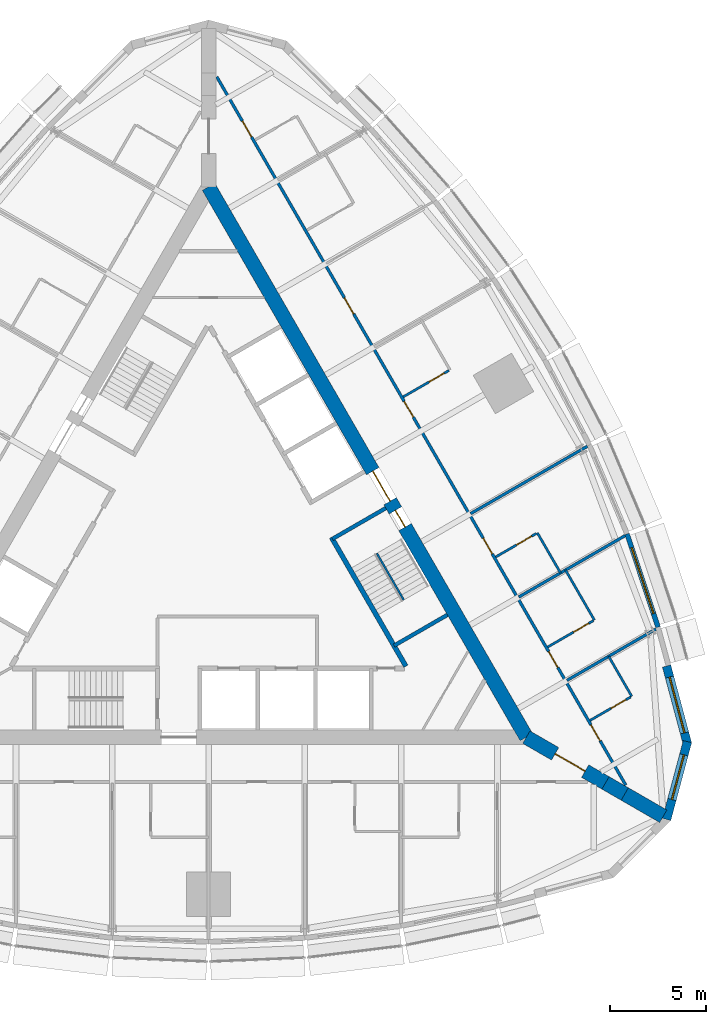
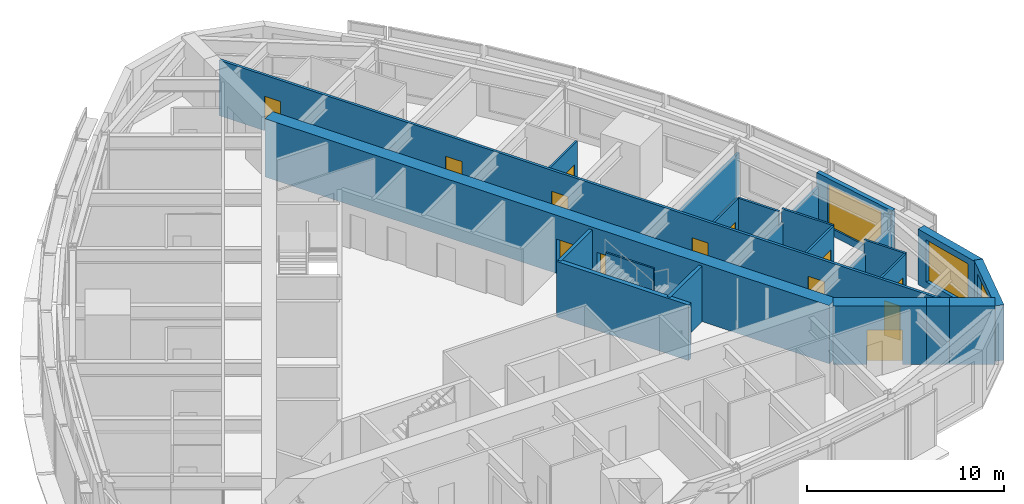
# One storey, part 12 of 15: 22 walls, 13 doors, 3 windows, 16 openings.
"""IFC4 building model written with IfcOpenShell, lengths in metres."""

from ifc_helpers import new_model, si_unit, direction, frame, frame_2d, origin, place, context, subcontext, project, spatial, polyline, rectangle, outline, extrude, material, layer, layer_set, type_object, element, fill, save


model = new_model("IFC4")

# Units and contexts
model_context = context("Model", 3, precision=1e-05, world=origin(), true_north=direction((0.0, 1.0)))
body_context = subcontext(model_context, "Body", "Model", "MODEL_VIEW")
ifc_project = project(units=[si_unit("LENGTHUNIT", "METRE"), si_unit("AREAUNIT", "SQUARE_METRE"), si_unit("VOLUMEUNIT", "CUBIC_METRE"), si_unit("PLANEANGLEUNIT", "RADIAN"), si_unit("MASSUNIT", "GRAM", prefix="KILO")], contexts=[model_context])

# Site, building, storey
site_placement = place(None, origin())
site = spatial("IfcSite", under=ifc_project, at=site_placement, CompositionType="ELEMENT")
building_placement = place(site_placement, origin())
building = spatial("IfcBuilding", under=site, at=building_placement, Name="Trikona Tower", CompositionType="ELEMENT")
storey_placement = place(building_placement, frame((0.0, 0.0, 215.300048828125)))
storey = spatial("IfcBuildingStorey", under=building, at=storey_placement, Name="L57", CompositionType="ELEMENT", Elevation=215.300048828125)

# Wall
ifc_material_1 = material(Name="Metal stud and cement board", Category="gypsum")
ifc_layer_1 = layer(ifc_material_1, 0.1201171875)
ifc_layer_set_1 = layer_set([ifc_layer_1], Name="Bathroom wall 120")
wall_type_1 = type_object("IfcWallType", Name="Bathroom wall 120", PredefinedType="PLUMBINGWALL", material=ifc_layer_set_1)
wall_1_placement = place(storey_placement, frame((21.972900390625, -7.40576171875, 0.0), z_axis=(0.0, 0.0, 1.0), x_axis=(-0.499957262057, 0.866050077142, 0.0)))
element("IfcWall", 1, at=wall_1_placement, inside=storey, type_object=wall_type_1, Name="Bathroom wall 5705", PredefinedType="PLUMBINGWALL", context=body_context, shape_type="SweptSolid", body=[
    extrude(rectangle(XDim=2.400146484375, YDim=0.1201171875, at=frame_2d((1.2001953125, 0.0))), origin(), (0.0, 0.0, 1.0), 3.43505859375),
])

# Wall, opening, door
wall_2_placement = place(storey_placement, frame((19.807861328125, -8.65576171875, 0.0), z_axis=(0.0, 0.0, 1.0), x_axis=(0.866023955769, 0.500002508028, 0.0)))
wall_2 = element("IfcWall", 2, at=wall_2_placement, inside=storey, type_object=wall_type_1, Name="Bathroom wall 5705", PredefinedType="PLUMBINGWALL", context=body_context, shape_type="SweptSolid", body=[
    extrude(rectangle(XDim=2.43994140625, YDim=0.1201171875, at=frame_2d((1.219970703125, 0.0))), origin(), (0.0, 0.0, 1.0), 3.43505859375),
])
opening_1_placement = place(wall_2_placement, frame((1.25, 0.0, 0.0)))
opening_1 = element("IfcOpeningElement", 3, at=opening_1_placement, cuts=wall_2, Name="Opening D2", PredefinedType="OPENING", context=body_context, shape_type="SweptSolid", body=[
    extrude(rectangle(XDim=0.89990234375, YDim=2.1298828125, at=frame_2d((0.449951171875, 1.06494140625))), frame((0.0, 0.070068359375, 0.0), z_axis=(0.0, -1.0, 0.0), x_axis=(1.0, 0.0, 0.0)), (0.0, 0.0, 1.0), 0.14013671875),
])
ifc_material_2 = material(Name="Steel door frame with solid-core timber leaf", Category="steel")
door_type_1 = type_object("IfcDoorType", Name="Bathroom door 900x2130", OperationType="SLIDING_TO_LEFT", PredefinedType="DOOR", material=ifc_material_2)
door_1_placement = place(opening_1_placement, origin())
door_1 = element("IfcDoor", 4, at=door_1_placement, inside=storey, type_object=door_type_1, Name="Bathroom door 5705", OperationType="SLIDING_TO_LEFT", OverallHeight=2.1298828125, OverallWidth=0.89990234375, PredefinedType="DOOR", context=body_context, shape_type="SweptSolid", body=[
    extrude(rectangle(XDim=0.89990234375, YDim=2.1298828125, at=frame_2d((0.449951171875, 1.06494140625))), frame((0.0, 0.02490234375, 0.0), z_axis=(0.0, -1.0, 0.0), x_axis=(1.0, 0.0, 0.0)), (0.0, 0.0, 1.0), 0.050048828125),
])
fill(opening_1, door_1)

# Wall
wall_3_placement = place(storey_placement, frame((20.03271484375, -3.4453125, 0.0), z_axis=(0.0, 0.0, 1.0), x_axis=(-0.499990139034, 0.866031096941, 0.0)))
element("IfcWall", 5, at=wall_3_placement, inside=storey, type_object=wall_type_1, Name="Bathroom wall 5706", PredefinedType="PLUMBINGWALL", context=body_context, shape_type="SweptSolid", body=[
    extrude(rectangle(XDim=3.0, YDim=0.1201171875, at=frame_2d((1.5, 0.0))), origin(), (0.0, 0.0, 1.0), 3.43505859375),
])

# Wall, opening, door
wall_4_placement = place(storey_placement, frame((17.60791015625, -4.84521484375, 0.0), z_axis=(0.0, 0.0, 1.0), x_axis=(0.865997131366, 0.500048966069, 0.0)))
wall_4 = element("IfcWall", 6, at=wall_4_placement, inside=storey, type_object=wall_type_1, Name="Bathroom wall 5706", PredefinedType="PLUMBINGWALL", context=body_context, shape_type="SweptSolid", body=[
    extrude(rectangle(XDim=2.739990234375, YDim=0.1201171875, at=frame_2d((1.3701171875, 0.0))), origin(), (0.0, 0.0, 1.0), 3.43505859375),
])
opening_2_placement = place(wall_4_placement, frame((1.550048828125, 0.0, 0.0)))
opening_2 = element("IfcOpeningElement", 7, at=opening_2_placement, cuts=wall_4, Name="Opening D2", PredefinedType="OPENING", context=body_context, shape_type="SweptSolid", body=[
    extrude(rectangle(XDim=0.89990234375, YDim=2.1298828125, at=frame_2d((0.449951171875, 1.06494140625))), frame((0.0, 0.070068359375, 0.0), z_axis=(0.0, -1.0, 0.0), x_axis=(1.0, 0.0, 0.0)), (0.0, 0.0, 1.0), 0.14013671875),
])
door_2_placement = place(opening_2_placement, origin())
door_2 = element("IfcDoor", 8, at=door_2_placement, inside=storey, type_object=door_type_1, Name="Bathroom door 5706", OperationType="SLIDING_TO_LEFT", OverallHeight=2.1298828125, OverallWidth=0.89990234375, PredefinedType="DOOR", context=body_context, shape_type="SweptSolid", body=[
    extrude(rectangle(XDim=0.89990234375, YDim=2.1298828125, at=frame_2d((0.449951171875, 1.06494140625))), frame((0.0, 0.02490234375, 0.0), z_axis=(0.0, -1.0, 0.0), x_axis=(1.0, 0.0, 0.0)), (0.0, 0.0, 1.0), 0.050048828125),
])
fill(opening_2, door_2)

# Wall
wall_5_placement = place(storey_placement, frame((18.27294921875, -0.9970703125, 0.0), z_axis=(0.0, 0.0, 1.0), x_axis=(-0.500001309137, 0.866024647952, 0.0)))
element("IfcWall", 9, at=wall_5_placement, inside=storey, type_object=wall_type_1, Name="Bathroom wall 5707", PredefinedType="PLUMBINGWALL", context=body_context, shape_type="SweptSolid", body=[
    extrude(rectangle(XDim=2.39990234375, YDim=0.1201171875, at=frame_2d((1.199951171875, 0.0))), origin(), (0.0, 0.0, 1.0), 3.43505859375),
])

# Wall, opening, door
wall_6_placement = place(storey_placement, frame((14.907958984375, -0.168701171875, 0.0), z_axis=(0.0, 0.0, 1.0), x_axis=(0.866023955769, 0.500002508028, 0.0)))
wall_6 = element("IfcWall", 10, at=wall_6_placement, inside=storey, type_object=wall_type_1, Name="Bathroom wall 5707", PredefinedType="PLUMBINGWALL", context=body_context, shape_type="SweptSolid", body=[
    extrude(rectangle(XDim=2.43994140625, YDim=0.1201171875, at=frame_2d((1.219970703125, 0.0))), origin(), (0.0, 0.0, 1.0), 3.43505859375),
])
opening_3_placement = place(wall_6_placement, frame((1.25, 0.0, 0.0)))
opening_3 = element("IfcOpeningElement", 11, at=opening_3_placement, cuts=wall_6, Name="Opening D2", PredefinedType="OPENING", context=body_context, shape_type="SweptSolid", body=[
    extrude(rectangle(XDim=0.89990234375, YDim=2.1298828125, at=frame_2d((0.449951171875, 1.06494140625))), frame((0.0, 0.070068359375, 0.0), z_axis=(0.0, -1.0, 0.0), x_axis=(1.0, 0.0, 0.0)), (0.0, 0.0, 1.0), 0.14013671875),
])
door_3_placement = place(opening_3_placement, origin())
door_3 = element("IfcDoor", 12, at=door_3_placement, inside=storey, type_object=door_type_1, Name="Bathroom door 5707", OperationType="SLIDING_TO_LEFT", OverallHeight=2.1298828125, OverallWidth=0.89990234375, PredefinedType="DOOR", context=body_context, shape_type="SweptSolid", body=[
    extrude(rectangle(XDim=0.89990234375, YDim=2.1298828125, at=frame_2d((0.449951171875, 1.06494140625))), frame((0.0, 0.02490234375, 0.0), z_axis=(0.0, -1.0, 0.0), x_axis=(1.0, 0.0, 0.0)), (0.0, 0.0, 1.0), 0.050048828125),
])
fill(opening_3, door_3)

wall_7_placement = place(storey_placement, frame((10.10791015625, 8.145263671875, 0.0), z_axis=(0.0, 0.0, 1.0), x_axis=(0.866035715982, 0.499982138324, 0.0)))
wall_7 = element("IfcWall", 13, at=wall_7_placement, inside=storey, type_object=wall_type_1, Name="Bathroom wall 5708", PredefinedType="PLUMBINGWALL", context=body_context, shape_type="SweptSolid", body=[
    extrude(rectangle(XDim=2.73974609375, YDim=0.1201171875, at=frame_2d((1.369873046875, 0.0))), origin(), (0.0, 0.0, 1.0), 3.43505859375),
])
opening_4_placement = place(wall_7_placement, frame((1.550048828125, 0.0, 0.0)))
opening_4 = element("IfcOpeningElement", 14, at=opening_4_placement, cuts=wall_7, Name="Opening D2", PredefinedType="OPENING", context=body_context, shape_type="SweptSolid", body=[
    extrude(rectangle(XDim=0.89990234375, YDim=2.1298828125, at=frame_2d((0.449951171875, 1.06494140625))), frame((0.0, 0.070068359375, 0.0), z_axis=(0.0, -1.0, 0.0), x_axis=(1.0, 0.0, 0.0)), (0.0, 0.0, 1.0), 0.14013671875),
])
door_4_placement = place(opening_4_placement, origin())
door_4 = element("IfcDoor", 15, at=door_4_placement, inside=storey, type_object=door_type_1, Name="Bathroom door 5708", OperationType="SLIDING_TO_LEFT", OverallHeight=2.1298828125, OverallWidth=0.89990234375, PredefinedType="DOOR", context=body_context, shape_type="SweptSolid", body=[
    extrude(rectangle(XDim=0.89990234375, YDim=2.1298828125, at=frame_2d((0.449951171875, 1.06494140625))), frame((0.0, 0.02490234375, 0.0), z_axis=(0.0, -1.0, 0.0), x_axis=(1.0, 0.0, 0.0)), (0.0, 0.0, 1.0), 0.050048828125),
])
fill(opening_4, door_4)

# Wall, opening, window
ifc_material_3 = material(Name="Brick-faced precast concrete", Category="masonry")
ifc_layer_2 = layer(ifc_material_3, 0.449951171875)
ifc_layer_set_2 = layer_set([ifc_layer_2], Name="Brick-faced corner wall 450")
wall_type_2 = type_object("IfcWallType", Name="Brick-faced corner wall 450", PredefinedType="SOLIDWALL", material=ifc_layer_set_2)
wall_8_placement = place(storey_placement, frame((23.78271484375, -13.798095703125, 0.0), z_axis=(0.0, 0.0, 1.0), x_axis=(0.258799282522, 0.96593112144, 0.0)))
wall_8 = element("IfcWall", 16, at=wall_8_placement, inside=storey, type_object=wall_type_2, Name="External wall L57-10", PredefinedType="SOLIDWALL", context=body_context, shape_type="SweptSolid", body=[
    extrude(outline(polyline([(4.183837890625, 0.22509765625), (0.5087890625, 0.22509765625), (0.478759765625, 0.112548828125), (0.059326171875, 0.22509765625), (0.0, 0.22509765625), (0.0, -0.22509765625), (4.183837890625, -0.22509765625), (4.183837890625, 0.22509765625)])), origin(), (0.0, 0.0, 1.0), 3.43505859375),
])
opening_5_placement = place(wall_8_placement, frame((1.0712890625, 0.0, 0.449951171875)))
opening_5 = element("IfcOpeningElement", 17, at=opening_5_placement, cuts=wall_8, Name="Opening W2426", PredefinedType="OPENING", context=body_context, shape_type="SweptSolid", body=[
    extrude(rectangle(XDim=2.39990234375, YDim=2.60009765625, at=frame_2d((1.199951171875, 1.300048828125))), frame((0.0, 0.23486328125, 0.0), z_axis=(0.0, -1.0, 0.0), x_axis=(1.0, 0.0, 0.0)), (0.0, 0.0, 1.0), 0.469970703125),
])
ifc_material_4 = material(Name="Aluminium-framed double glazing", Category="aluminium")
window_type_1 = type_object("IfcWindowType", Name="Window 2400x2600", PartitioningType="SINGLE_PANEL", PredefinedType="WINDOW", material=ifc_material_4)
window_1_placement = place(opening_5_placement, origin())
window_1 = element("IfcWindow", 18, at=window_1_placement, inside=storey, type_object=window_type_1, Name="Window 5705", OverallHeight=2.60009765625, OverallWidth=2.39990234375, PartitioningType="SINGLE_PANEL", PredefinedType="WINDOW", context=body_context, shape_type="SweptSolid", body=[
    extrude(rectangle(XDim=2.39990234375, YDim=2.60009765625, at=frame_2d((1.199951171875, 1.300048828125))), frame((0.0, 0.030029296875, 0.0), z_axis=(0.0, -1.0, 0.0), x_axis=(1.0, 0.0, 0.0)), (0.0, 0.0, 1.0), 0.06005859375),
])
fill(opening_5, window_1)

wall_9_placement = place(storey_placement, frame((24.865478515625, -9.873291015625, 0.0), z_axis=(0.0, 0.0, 1.0), x_axis=(-0.258784695888, 0.965935029479, 0.0)))
wall_9 = element("IfcWall", 19, at=wall_9_placement, inside=storey, type_object=wall_type_2, Name="External wall L57-11", PredefinedType="SOLIDWALL", context=body_context, shape_type="SweptSolid", body=[
    extrude(rectangle(XDim=4.18408203125, YDim=0.449951171875, at=frame_2d((2.092041015625, 0.0))), origin(), (0.0, 0.0, 1.0), 3.43505859375),
])
opening_6_placement = place(wall_9_placement, frame((0.592041015625, 0.0, 0.449951171875)))
opening_6 = element("IfcOpeningElement", 20, at=opening_6_placement, cuts=wall_9, Name="Opening W3026", PredefinedType="OPENING", context=body_context, shape_type="SweptSolid", body=[
    extrude(rectangle(XDim=3.0, YDim=2.60009765625, at=frame_2d((1.5, 1.300048828125))), frame((0.0, 0.23486328125, 0.0), z_axis=(0.0, -1.0, 0.0), x_axis=(1.0, 0.0, 0.0)), (0.0, 0.0, 1.0), 0.469970703125),
])
ifc_material_5 = material(Name="Aluminium-framed double glazing", Category="aluminium")
window_type_2 = type_object("IfcWindowType", Name="Window 3000x2600", PartitioningType="SINGLE_PANEL", PredefinedType="WINDOW", material=ifc_material_5)
window_2_placement = place(opening_6_placement, origin())
window_2 = element("IfcWindow", 21, at=window_2_placement, inside=storey, type_object=window_type_2, Name="Window 5705", OverallHeight=2.60009765625, OverallWidth=3.0, PartitioningType="SINGLE_PANEL", PredefinedType="WINDOW", context=body_context, shape_type="SweptSolid", body=[
    extrude(rectangle(XDim=3.0, YDim=2.60009765625, at=frame_2d((1.5, 1.300048828125))), frame((0.0, 0.030029296875, 0.0), z_axis=(0.0, -1.0, 0.0), x_axis=(1.0, 0.0, 0.0)), (0.0, 0.0, 1.0), 0.06005859375),
])
fill(opening_6, window_2)

# Wall, opening, door
ifc_material_6 = material(Name="Concrete f'c 10000 psi", Category="concrete")
ifc_layer_3 = layer(ifc_material_6, 0.75)
ifc_layer_set_3 = layer_set([ifc_layer_3], Name="Buttress wall 750")
wall_type_3 = type_object("IfcWallType", Name="Buttress wall 750", PredefinedType="SHEAR", material=ifc_layer_set_3)
wall_10_placement = place(storey_placement, frame((16.5, -9.5263671875, 0.0), z_axis=(0.0, 0.0, 1.0), x_axis=(0.866031398331, -0.499989616998, 0.0)))
wall_10 = element("IfcWall", 22, at=wall_10_placement, inside=storey, type_object=wall_type_3, Name="Buttress wall 1", PredefinedType="SHEAR", context=body_context, shape_type="SweptSolid", body=[
    extrude(rectangle(XDim=4.74609375, YDim=0.75, at=frame_2d((2.373046875, 0.0))), origin(), (0.0, 0.0, 1.0), 3.599853515625),
])
opening_7_placement = place(wall_10_placement, frame((1.72509765625, 0.0, 0.0)))
opening_7 = element("IfcOpeningElement", 23, at=opening_7_placement, cuts=wall_10, Name="Opening D10", PredefinedType="OPENING", context=body_context, shape_type="SweptSolid", body=[
    extrude(rectangle(XDim=1.800048828125, YDim=2.1298828125, at=frame_2d((0.89990234375, 1.06494140625))), frame((0.0, 0.385009765625, 0.0), z_axis=(0.0, -1.0, 0.0), x_axis=(1.0, 0.0, 0.0)), (0.0, 0.0, 1.0), 0.77001953125),
])
ifc_material_7 = material(Name="Hollow metal door and frame", Category="steel")
door_type_2 = type_object("IfcDoorType", Name="Cross-corridor door pair 1800x2130", OperationType="DOUBLE_DOOR_DOUBLE_SWING", PredefinedType="DOOR", material=ifc_material_7)
door_5_placement = place(opening_7_placement, origin())
door_5 = element("IfcDoor", 24, at=door_5_placement, inside=storey, type_object=door_type_2, Name="Cross-corridor door 1", OperationType="DOUBLE_DOOR_DOUBLE_SWING", OverallHeight=2.1298828125, OverallWidth=1.800048828125, PredefinedType="DOOR", context=body_context, shape_type="SweptSolid", body=[
    extrude(rectangle(XDim=1.800048828125, YDim=2.1298828125, at=frame_2d((0.89990234375, 1.06494140625))), frame((0.0, 0.02490234375, 0.0), z_axis=(0.0, -1.0, 0.0), x_axis=(1.0, 0.0, 0.0)), (0.0, 0.0, 1.0), 0.050048828125),
])
fill(opening_7, door_5)

# Walls
wall_11_placement = place(storey_placement, frame((20.6103515625, -11.8994140625, 0.0), z_axis=(0.0, 0.0, 1.0), x_axis=(0.866009537788, -0.500027479704, 0.0)))
element("IfcWall", 25, at=wall_11_placement, inside=storey, type_object=wall_type_3, Name="Buttress wall 1 part 2", PredefinedType="SHEAR", context=body_context, shape_type="SweptSolid", body=[
    extrude(rectangle(XDim=1.15478515625, YDim=0.75, at=frame_2d((0.577392578125, 0.0))), origin(), (0.0, 0.0, 1.0), 3.599853515625),
])
wall_12_placement = place(storey_placement, frame((21.6103515625, -12.476806640625, 0.0), z_axis=(0.0, 0.0, 1.0), x_axis=(0.866055313784, -0.499948190782, 0.0)))
element("IfcWall", 26, at=wall_12_placement, inside=storey, type_object=wall_type_3, Name="Buttress wall 1 part 3", PredefinedType="SHEAR", context=body_context, shape_type="SweptSolid", body=[
    extrude(rectangle(XDim=2.309326171875, YDim=0.75, at=frame_2d((1.15478515625, 0.0))), origin(), (0.0, 0.0, 1.0), 3.599853515625),
])

# Wall, openings, doors
ifc_material_8 = material(Name="Concrete f'c 10000 psi", Category="concrete")
ifc_layer_4 = layer(ifc_material_8, 0.75)
ifc_layer_set_4 = layer_set([ifc_layer_4], Name="Core wall 750")
wall_type_4 = type_object("IfcWallType", Name="Core wall 750", PredefinedType="SHEAR", material=ifc_layer_set_4)
wall_13_placement = place(storey_placement, frame((16.5, -9.5263671875, 0.0), z_axis=(0.0, 0.0, 1.0), x_axis=(-0.499999749417, 0.866025548458, 0.0)))
wall_13 = element("IfcWall", 27, at=wall_13_placement, inside=storey, type_object=wall_type_4, Name="Core wall B", PredefinedType="SHEAR", context=body_context, shape_type="SweptSolid", body=[
    extrude(rectangle(XDim=33.0, YDim=0.75, at=frame_2d((16.5, 0.0))), origin(), (0.0, 0.0, 1.0), 3.599853515625),
])
opening_8_placement = place(wall_13_placement, frame((14.14990234375, 0.0, 0.0)))
opening_8 = element("IfcOpeningElement", 28, at=opening_8_placement, cuts=wall_13, Name="Opening D6", PredefinedType="OPENING", context=body_context, shape_type="SweptSolid", body=[
    extrude(rectangle(XDim=1.800048828125, YDim=2.1298828125, at=frame_2d((0.89990234375, 1.06494140625))), frame((0.0, 0.385009765625, 0.0), z_axis=(0.0, -1.0, 0.0), x_axis=(1.0, 0.0, 0.0)), (0.0, 0.0, 1.0), 0.77001953125),
])
opening_9_placement = place(wall_13_placement, frame((12.60009765625, 0.0, 0.0)))
opening_9 = element("IfcOpeningElement", 29, at=opening_9_placement, cuts=wall_13, Name="Opening D5", PredefinedType="OPENING", context=body_context, shape_type="SweptSolid", body=[
    extrude(rectangle(XDim=1.0, YDim=2.1298828125, at=frame_2d((0.5, 1.06494140625))), frame((0.0, 0.385009765625, 0.0), z_axis=(0.0, -1.0, 0.0), x_axis=(1.0, 0.0, 0.0)), (0.0, 0.0, 1.0), 0.77001953125),
])
ifc_material_9 = material(Name="Hollow metal door and frame", Category="steel")
door_type_3 = type_object("IfcDoorType", Name="Lobby door pair 1800x2130", OperationType="DOUBLE_DOOR_SINGLE_SWING", PredefinedType="DOOR", material=ifc_material_9)
door_6_placement = place(opening_8_placement, origin())
door_6 = element("IfcDoor", 30, at=door_6_placement, inside=storey, type_object=door_type_3, Name="Lift lobby door B", OperationType="DOUBLE_DOOR_SINGLE_SWING", OverallHeight=2.1298828125, OverallWidth=1.800048828125, PredefinedType="DOOR", context=body_context, shape_type="SweptSolid", body=[
    extrude(rectangle(XDim=1.800048828125, YDim=2.1298828125, at=frame_2d((0.89990234375, 1.06494140625))), frame((0.0, 0.02490234375, 0.0), z_axis=(0.0, -1.0, 0.0), x_axis=(1.0, 0.0, 0.0)), (0.0, 0.0, 1.0), 0.050048828125),
])
fill(opening_8, door_6)
ifc_material_10 = material(Name="Hollow metal door and frame", Category="steel")
door_type_4 = type_object("IfcDoorType", Name="Stair door 1000x2130", OperationType="SINGLE_SWING_LEFT", PredefinedType="DOOR", material=ifc_material_10)
door_7_placement = place(opening_9_placement, origin())
door_7 = element("IfcDoor", 31, at=door_7_placement, inside=storey, type_object=door_type_4, Name="Stair B door", OperationType="SINGLE_SWING_RIGHT", OverallHeight=2.1298828125, OverallWidth=1.0, PredefinedType="DOOR", context=body_context, shape_type="SweptSolid", body=[
    extrude(rectangle(XDim=1.0, YDim=2.1298828125, at=frame_2d((0.5, 1.06494140625))), frame((0.0, 0.02490234375, 0.0), z_axis=(0.0, -1.0, 0.0), x_axis=(1.0, 0.0, 0.0)), (0.0, 0.0, 1.0), 0.050048828125),
])
fill(opening_9, door_7)

ifc_material_11 = material(Name="Metal stud and gypsum board, 1-hour", Category="gypsum")
ifc_layer_5 = layer(ifc_material_11, 0.14990234375)
ifc_layer_set_5 = layer_set([ifc_layer_5], Name="Corridor wall 150")
wall_type_5 = type_object("IfcWallType", Name="Corridor wall 150", PredefinedType="PARTITIONING", material=ifc_layer_set_5)
wall_14_placement = place(storey_placement, frame((21.660888671875, -12.01513671875, 0.0), z_axis=(0.0, 0.0, 1.0), x_axis=(-0.500000605707, 0.866025054079, 0.0)))
wall_14 = element("IfcWall", 32, at=wall_14_placement, inside=storey, type_object=wall_type_5, Name="Corridor wall L57-2", PredefinedType="PARTITIONING", context=body_context, shape_type="SweptSolid", body=[
    extrude(rectangle(XDim=42.4716796875, YDim=0.14990234375, at=frame_2d((21.23583984375, 0.0))), origin(), (0.0, 0.0, 1.0), 3.43505859375),
])
opening_10_placement = place(wall_14_placement, frame((2.660888671875, 0.0, 0.0)))
opening_10 = element("IfcOpeningElement", 33, at=opening_10_placement, cuts=wall_14, Name="Opening D1", PredefinedType="OPENING", context=body_context, shape_type="SweptSolid", body=[
    extrude(rectangle(XDim=0.949951171875, YDim=2.1298828125, at=frame_2d((0.47509765625, 1.06494140625))), frame((0.0, 0.0849609375, 0.0), z_axis=(0.0, -1.0, 0.0), x_axis=(1.0, 0.0, 0.0)), (0.0, 0.0, 1.0), 0.169921875),
])
opening_11_placement = place(wall_14_placement, frame((7.060791015625, 0.0, 0.0)))
opening_11 = element("IfcOpeningElement", 34, at=opening_11_placement, cuts=wall_14, Name="Opening D1", PredefinedType="OPENING", context=body_context, shape_type="SweptSolid", body=[
    extrude(rectangle(XDim=0.949951171875, YDim=2.1298828125, at=frame_2d((0.47509765625, 1.06494140625))), frame((0.0, 0.0849609375, 0.0), z_axis=(0.0, -1.0, 0.0), x_axis=(1.0, 0.0, 0.0)), (0.0, 0.0, 1.0), 0.169921875),
])
opening_12_placement = place(wall_14_placement, frame((13.86083984375, 0.0, 0.0)))
opening_12 = element("IfcOpeningElement", 35, at=opening_12_placement, cuts=wall_14, Name="Opening D1", PredefinedType="OPENING", context=body_context, shape_type="SweptSolid", body=[
    extrude(rectangle(XDim=0.949951171875, YDim=2.1298828125, at=frame_2d((0.47509765625, 1.06494140625))), frame((0.0, 0.0849609375, 0.0), z_axis=(0.0, -1.0, 0.0), x_axis=(1.0, 0.0, 0.0)), (0.0, 0.0, 1.0), 0.169921875),
])
opening_13_placement = place(wall_14_placement, frame((22.060791015625, 0.0, 0.0)))
opening_13 = element("IfcOpeningElement", 36, at=opening_13_placement, cuts=wall_14, Name="Opening D1", PredefinedType="OPENING", context=body_context, shape_type="SweptSolid", body=[
    extrude(rectangle(XDim=0.949951171875, YDim=2.1298828125, at=frame_2d((0.47509765625, 1.06494140625))), frame((0.0, 0.0849609375, 0.0), z_axis=(0.0, -1.0, 0.0), x_axis=(1.0, 0.0, 0.0)), (0.0, 0.0, 1.0), 0.169921875),
])
opening_14_placement = place(wall_14_placement, frame((28.260986328125, 0.0, 0.0)))
opening_14 = element("IfcOpeningElement", 37, at=opening_14_placement, cuts=wall_14, Name="Opening D1", PredefinedType="OPENING", context=body_context, shape_type="SweptSolid", body=[
    extrude(rectangle(XDim=0.949951171875, YDim=2.1298828125, at=frame_2d((0.47509765625, 1.06494140625))), frame((0.0, 0.0849609375, 0.0), z_axis=(0.0, -1.0, 0.0), x_axis=(1.0, 0.0, 0.0)), (0.0, 0.0, 1.0), 0.169921875),
])
opening_15_placement = place(wall_14_placement, frame((38.86083984375, 0.0, 0.0)))
opening_15 = element("IfcOpeningElement", 38, at=opening_15_placement, cuts=wall_14, Name="Opening D1", PredefinedType="OPENING", context=body_context, shape_type="SweptSolid", body=[
    extrude(rectangle(XDim=0.949951171875, YDim=2.1298828125, at=frame_2d((0.47509765625, 1.06494140625))), frame((0.0, 0.0849609375, 0.0), z_axis=(0.0, -1.0, 0.0), x_axis=(1.0, 0.0, 0.0)), (0.0, 0.0, 1.0), 0.169921875),
])
ifc_material_12 = material(Name="Steel door frame with solid-core timber leaf", Category="steel")
door_type_5 = type_object("IfcDoorType", Name="Guest room door 950x2130", OperationType="SINGLE_SWING_LEFT", PredefinedType="DOOR", material=ifc_material_12)
door_8_placement = place(opening_10_placement, origin())
door_8 = element("IfcDoor", 39, at=door_8_placement, inside=storey, type_object=door_type_5, Name="Room door 5705", OperationType="SINGLE_SWING_LEFT", OverallHeight=2.1298828125, OverallWidth=0.949951171875, PredefinedType="DOOR", context=body_context, shape_type="SweptSolid", body=[
    extrude(rectangle(XDim=0.949951171875, YDim=2.1298828125, at=frame_2d((0.47509765625, 1.06494140625))), frame((0.0, 0.02490234375, 0.0), z_axis=(0.0, -1.0, 0.0), x_axis=(1.0, 0.0, 0.0)), (0.0, 0.0, 1.0), 0.050048828125),
])
fill(opening_10, door_8)
door_9_placement = place(opening_11_placement, origin())
door_9 = element("IfcDoor", 40, at=door_9_placement, inside=storey, type_object=door_type_5, Name="Room door 5706", OperationType="SINGLE_SWING_RIGHT", OverallHeight=2.1298828125, OverallWidth=0.949951171875, PredefinedType="DOOR", context=body_context, shape_type="SweptSolid", body=[
    extrude(rectangle(XDim=0.949951171875, YDim=2.1298828125, at=frame_2d((0.47509765625, 1.06494140625))), frame((0.0, 0.02490234375, 0.0), z_axis=(0.0, -1.0, 0.0), x_axis=(1.0, 0.0, 0.0)), (0.0, 0.0, 1.0), 0.050048828125),
])
fill(opening_11, door_9)
door_10_placement = place(opening_12_placement, origin())
door_10 = element("IfcDoor", 41, at=door_10_placement, inside=storey, type_object=door_type_5, Name="Room door 5707", OperationType="SINGLE_SWING_LEFT", OverallHeight=2.1298828125, OverallWidth=0.949951171875, PredefinedType="DOOR", context=body_context, shape_type="SweptSolid", body=[
    extrude(rectangle(XDim=0.949951171875, YDim=2.1298828125, at=frame_2d((0.47509765625, 1.06494140625))), frame((0.0, 0.02490234375, 0.0), z_axis=(0.0, -1.0, 0.0), x_axis=(1.0, 0.0, 0.0)), (0.0, 0.0, 1.0), 0.050048828125),
])
fill(opening_12, door_10)
door_11_placement = place(opening_13_placement, origin())
door_11 = element("IfcDoor", 42, at=door_11_placement, inside=storey, type_object=door_type_5, Name="Room door 5708", OperationType="SINGLE_SWING_RIGHT", OverallHeight=2.1298828125, OverallWidth=0.949951171875, PredefinedType="DOOR", context=body_context, shape_type="SweptSolid", body=[
    extrude(rectangle(XDim=0.949951171875, YDim=2.1298828125, at=frame_2d((0.47509765625, 1.06494140625))), frame((0.0, 0.02490234375, 0.0), z_axis=(0.0, -1.0, 0.0), x_axis=(1.0, 0.0, 0.0)), (0.0, 0.0, 1.0), 0.050048828125),
])
fill(opening_13, door_11)
door_12_placement = place(opening_14_placement, origin())
door_12 = element("IfcDoor", 43, at=door_12_placement, inside=storey, type_object=door_type_5, Name="Room door 5709", OperationType="SINGLE_SWING_LEFT", OverallHeight=2.1298828125, OverallWidth=0.949951171875, PredefinedType="DOOR", context=body_context, shape_type="SweptSolid", body=[
    extrude(rectangle(XDim=0.949951171875, YDim=2.1298828125, at=frame_2d((0.47509765625, 1.06494140625))), frame((0.0, 0.02490234375, 0.0), z_axis=(0.0, -1.0, 0.0), x_axis=(1.0, 0.0, 0.0)), (0.0, 0.0, 1.0), 0.050048828125),
])
fill(opening_14, door_12)
door_13_placement = place(opening_15_placement, origin())
door_13 = element("IfcDoor", 44, at=door_13_placement, inside=storey, type_object=door_type_5, Name="Room door 5710", OperationType="SINGLE_SWING_RIGHT", OverallHeight=2.1298828125, OverallWidth=0.949951171875, PredefinedType="DOOR", context=body_context, shape_type="SweptSolid", body=[
    extrude(rectangle(XDim=0.949951171875, YDim=2.1298828125, at=frame_2d((0.47509765625, 1.06494140625))), frame((0.0, 0.02490234375, 0.0), z_axis=(0.0, -1.0, 0.0), x_axis=(1.0, 0.0, 0.0)), (0.0, 0.0, 1.0), 0.050048828125),
])
fill(opening_15, door_13)

# Wall
ifc_material_13 = material(Name="Concrete f'c 8000 psi", Category="concrete")
ifc_layer_6 = layer(ifc_material_13, 0.25)
ifc_layer_set_6 = layer_set([ifc_layer_6], Name="Hub wall 250")
wall_type_6 = type_object("IfcWallType", Name="Hub wall 250", PredefinedType="SOLIDWALL", material=ifc_layer_set_6)
wall_15_placement = place(storey_placement, frame((10.245361328125, -5.843017578125, 0.0), z_axis=(0.0, 0.0, 1.0), x_axis=(-0.499993009313, 0.866029439822, 0.0)))
element("IfcWall", 45, at=wall_15_placement, inside=storey, type_object=wall_type_6, Name="Lift lobby wall B1", PredefinedType="SOLIDWALL", context=body_context, shape_type="SweptSolid", body=[
    extrude(rectangle(XDim=7.73291015625, YDim=0.25, at=frame_2d((3.866455078125, 0.0))), origin(), (0.0, 0.0, 1.0), 3.43505859375),
])

# Wall, opening, window
ifc_material_14 = material(Name="Insulated precast concrete spandrel panel", Category="concrete")
ifc_layer_7 = layer(ifc_material_14, 0.25)
ifc_layer_set_7 = layer_set([ifc_layer_7], Name="Inner skin wall 250")
wall_type_7 = type_object("IfcWallType", Name="Inner skin wall 250", PredefinedType="STANDARD", material=ifc_layer_set_7)
wall_16_placement = place(storey_placement, frame((23.337890625, -3.8173828125, 0.0), z_axis=(0.0, 0.0, 1.0), x_axis=(-0.315108478109, 0.949055660656, 0.0)))
wall_16 = element("IfcWall", 46, at=wall_16_placement, inside=storey, type_object=wall_type_7, Name="External wall L57-13", PredefinedType="STANDARD", context=body_context, shape_type="SweptSolid", body=[
    extrude(rectangle(XDim=5.10498046875, YDim=0.25, at=frame_2d((2.552490234375, 0.0))), origin(), (0.0, 0.0, 1.0), 3.43505859375),
])
opening_16_placement = place(wall_16_placement, frame((0.75244140625, 0.0, 0.449951171875)))
opening_16 = element("IfcOpeningElement", 47, at=opening_16_placement, cuts=wall_16, Name="Opening W3626", PredefinedType="OPENING", context=body_context, shape_type="SweptSolid", body=[
    extrude(rectangle(XDim=3.60009765625, YDim=2.60009765625, at=frame_2d((1.800048828125, 1.300048828125))), frame((0.0, 0.135009765625, 0.0), z_axis=(0.0, -1.0, 0.0), x_axis=(1.0, 0.0, 0.0)), (0.0, 0.0, 1.0), 0.27001953125),
])
ifc_material_15 = material(Name="Aluminium-framed double glazing", Category="aluminium")
window_type_3 = type_object("IfcWindowType", Name="Window 3600x2600", PartitioningType="SINGLE_PANEL", PredefinedType="WINDOW", material=ifc_material_15)
window_3_placement = place(opening_16_placement, origin())
window_3 = element("IfcWindow", 48, at=window_3_placement, inside=storey, type_object=window_type_3, Name="Window 5706", OverallHeight=2.60009765625, OverallWidth=3.60009765625, PartitioningType="SINGLE_PANEL", PredefinedType="WINDOW", context=body_context, shape_type="SweptSolid", body=[
    extrude(rectangle(XDim=3.60009765625, YDim=2.60009765625, at=frame_2d((1.800048828125, 1.300048828125))), frame((0.0, 0.030029296875, 0.0), z_axis=(0.0, -1.0, 0.0), x_axis=(1.0, 0.0, 0.0)), (0.0, 0.0, 1.0), 0.06005859375),
])
fill(opening_16, window_3)

# Walls
ifc_material_16 = material(Name="Metal stud and gypsum board, 1-hour acoustic", Category="gypsum")
ifc_layer_8 = layer(ifc_material_16, 0.14990234375)
ifc_layer_set_8 = layer_set([ifc_layer_8], Name="Party wall 150")
wall_type_8 = type_object("IfcWallType", Name="Party wall 150", PredefinedType="PARTITIONING", material=ifc_layer_set_8)
wall_17_placement = place(storey_placement, frame((18.60791015625, -6.5771484375, 0.0), z_axis=(0.0, 0.0, 1.0), x_axis=(0.866028745538, 0.499994211868, 0.0)))
element("IfcWall", 49, at=wall_17_placement, inside=storey, type_object=wall_type_8, Name="Partition L57 F2 u-15", PredefinedType="PARTITIONING", context=body_context, shape_type="SweptSolid", body=[
    extrude(rectangle(XDim=5.33984375, YDim=0.14990234375, at=frame_2d((2.669921875, 0.0))), origin(), (0.0, 0.0, 1.0), 2.589111328125),
])
wall_18_placement = place(storey_placement, frame((16.10791015625, -2.2470703125, 0.0), z_axis=(0.0, 0.0, 1.0), x_axis=(0.866035028144, 0.499983329749, 0.0)))
element("IfcWall", 50, at=wall_18_placement, inside=storey, type_object=wall_type_8, Name="Partition L57 F2 u-10", PredefinedType="PARTITIONING", context=body_context, shape_type="SweptSolid", body=[
    extrude(rectangle(XDim=6.372802734375, YDim=0.14990234375, at=frame_2d((3.1865234375, 0.0))), origin(), (0.0, 0.0, 1.0), 2.589111328125),
])
wall_19_placement = place(storey_placement, frame((13.60791015625, 2.0830078125, 0.0), z_axis=(0.0, 0.0, 1.0), x_axis=(0.866032701937, 0.499987359016, 0.0)))
element("IfcWall", 51, at=wall_19_placement, inside=storey, type_object=wall_type_8, Name="Partition L57 F2 u-5", PredefinedType="PARTITIONING", context=body_context, shape_type="SweptSolid", body=[
    extrude(rectangle(XDim=6.993896484375, YDim=0.14990234375, at=frame_2d((3.4970703125, 0.0))), origin(), (0.0, 0.0, 1.0), 2.589111328125),
])
ifc_material_17 = material(Name="Concrete f'c 8000 psi", Category="concrete")
ifc_layer_9 = layer(ifc_material_17, 0.199951171875)
ifc_layer_set_9 = layer_set([ifc_layer_9], Name="Shaft wall 200 load-bearing")
wall_type_9 = type_object("IfcWallType", Name="Shaft wall 200 load-bearing", PredefinedType="SOLIDWALL", material=ifc_layer_set_9)
for number, where, z_axis, x_axis, name in (
    (52, (9.62890625, -4.775390625, 0.0), (0.0, 0.0, 1.0), (0.866008981251, 0.500028443584, 0.0), "Shaft wall B1"),
    (53, (6.428955078125, 0.767333984375, 0.0), (0.0, 0.0, 1.0), (0.866042017984, 0.499971222258, 0.0), "Shaft wall B2"),
):
    element("IfcWall", number, at=place(storey_placement, frame(where, z_axis=z_axis, x_axis=x_axis)), inside=storey, type_object=wall_type_9, Name=name, PredefinedType="SOLIDWALL", context=body_context, shape_type="SweptSolid", body=[
        extrude(rectangle(XDim=3.199951171875, YDim=0.199951171875, at=frame_2d((1.60009765625, 0.0))), origin(), (0.0, 0.0, 1.0), 3.43505859375),
    ])
ifc_material_18 = material(Name="Concrete f'c 5000 psi", Category="concrete")
ifc_layer_10 = layer(ifc_material_18, 0.10009765625)
ifc_layer_set_10 = layer_set([ifc_layer_10], Name="Stair spine wall 100")
wall_type_10 = type_object("IfcWallType", Name="Stair spine wall 100", PredefinedType="SOLIDWALL", material=ifc_layer_set_10)
wall_20_placement = place(storey_placement, frame((10.134765625, -2.4013671875, 0.0), z_axis=(0.0, 0.0, 1.0), x_axis=(-0.499992232847, 0.866029888106, 0.0)))
element("IfcWall", 54, at=wall_20_placement, inside=storey, type_object=wall_type_10, Name="Stair B spine wall L57", PredefinedType="SOLIDWALL", context=body_context, shape_type="SweptSolid", body=[
    extrude(rectangle(XDim=2.7939453125, YDim=0.10009765625, at=frame_2d((1.39697265625, 0.0))), origin(), (0.0, 0.0, 1.0), 3.599853515625),
])

save(model, "model.ifc")
